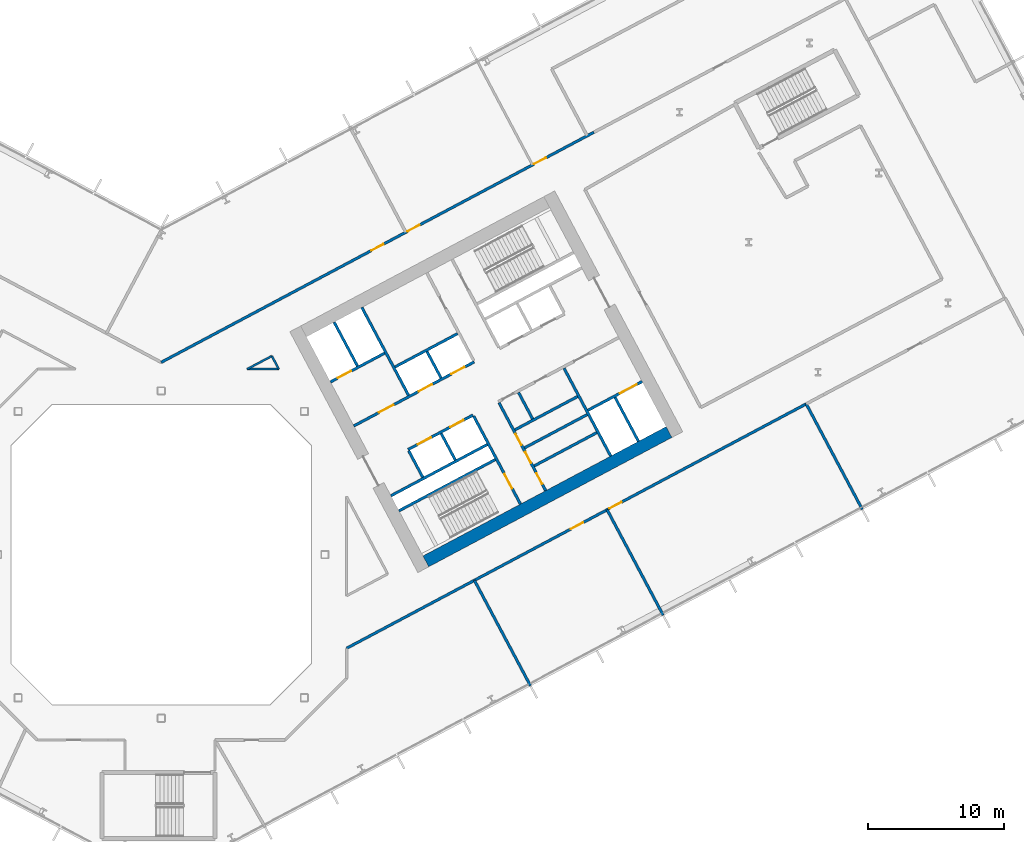
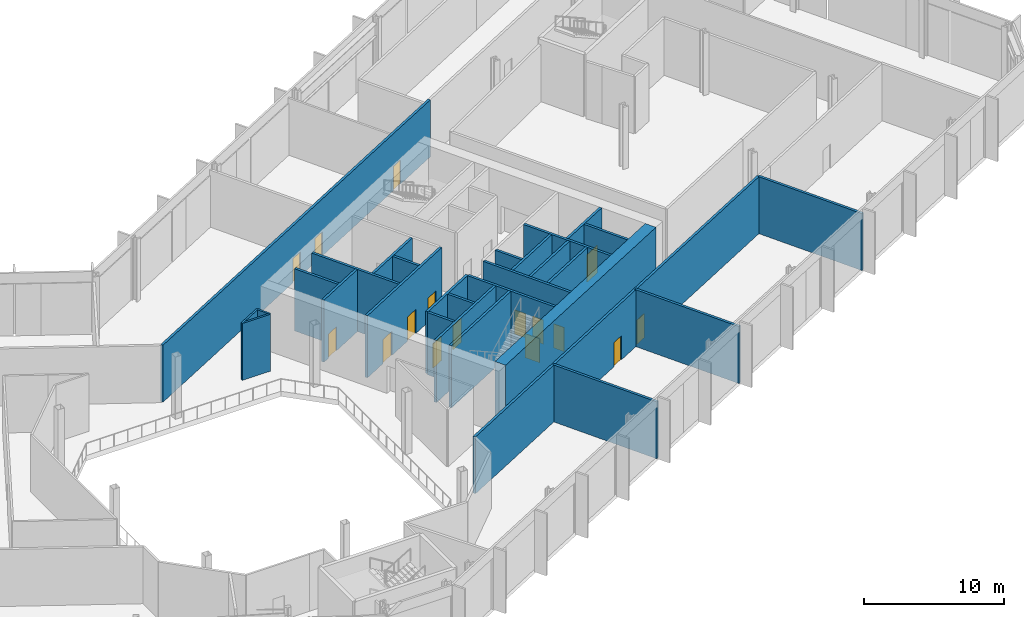
# One storey, part 15 of 30: 29 walls, 16 doors, 16 openings.
"""IFC4 building model written with IfcOpenShell, lengths in metres."""

from ifc_helpers import new_model, si_unit, direction, frame, frame_2d, origin, place, context, subcontext, project, spatial, rectangle, extrude, material, layer, layer_set, type_object, element, fill, save


model = new_model("IFC4")

# Units and contexts
model_context = context("Model", 3, precision=1e-05, world=origin(), true_north=direction((0.0, 1.0)))
body_context = subcontext(model_context, "Body", "Model", "MODEL_VIEW")
ifc_project = project(units=[si_unit("LENGTHUNIT", "METRE"), si_unit("AREAUNIT", "SQUARE_METRE"), si_unit("VOLUMEUNIT", "CUBIC_METRE"), si_unit("PLANEANGLEUNIT", "RADIAN"), si_unit("MASSUNIT", "GRAM", prefix="KILO")], contexts=[model_context])

# Site, building, storey
site_placement = place(None, origin())
site = spatial("IfcSite", under=ifc_project, at=site_placement, CompositionType="ELEMENT")
building_placement = place(site_placement, origin())
building = spatial("IfcBuilding", under=site, at=building_placement, Name="Cormorant Relay Tower", CompositionType="ELEMENT")
storey_placement = place(building_placement, frame((0.0, 0.0, 55.39990234375)))
storey = spatial("IfcBuildingStorey", under=building, at=storey_placement, Name="L10", CompositionType="ELEMENT", Elevation=55.39990234375)

# Walls
ifc_material_1 = material(Name="Concrete 40 MPa", Category="concrete")
ifc_layer_1 = layer(ifc_material_1, 0.199951171875)
ifc_layer_set_1 = layer_set([ifc_layer_1], Name="Core internal wall 200")
wall_type_1 = type_object("IfcWallType", Name="Core internal wall 200", PredefinedType="SOLIDWALL", material=ifc_layer_set_1)
for number, where, z_axis, x_axis, name in (
    (1, (21.567626953125, 6.9375, 0.0), (0.0, 0.0, 1.0), (-0.469533832133, 0.882914480843, 0.0), "L10 core B shaft and room wall"),
    (2, (20.522216796875, 12.950439453125, 0.0), (0.0, 0.0, 1.0), (-0.469401318492, 0.882984938828, 0.0), "L10 core B shaft and room wall"),
    (3, (27.236083984375, 9.951416015625, 0.0), (0.0, 0.0, 1.0), (-0.4694473164, 0.882960484464, 0.0), "L10 core B shaft and room wall"),
):
    element("IfcWall", number, at=place(storey_placement, frame(where, z_axis=z_axis, x_axis=x_axis)), inside=storey, type_object=wall_type_1, Name=name, PredefinedType="SOLIDWALL", context=body_context, shape_type="SweptSolid", body=[
        extrude(rectangle(XDim=2.199951171875, YDim=0.199951171875, at=frame_2d((1.10009765625, 0.0))), origin(), (0.0, 0.0, 1.0), 5.400146484375),
    ])
for number, where, z_axis, x_axis, name in (
    (4, (27.349365234375, 6.500732421875, 0.0), (0.0, 0.0, 1.0), (0.882953967957, 0.469459572775, 0.0), "L10 core B shaft and room wall"),
    (5, (26.645263671875, 7.8251953125, 0.0), (0.0, 0.0, 1.0), (0.882953967957, 0.469459572775, 0.0), "L10 core B shaft and room wall"),
):
    element("IfcWall", number, at=place(storey_placement, frame(where, z_axis=z_axis, x_axis=x_axis)), inside=storey, type_object=wall_type_1, Name=name, PredefinedType="SOLIDWALL", context=body_context, shape_type="SweptSolid", body=[
        extrude(rectangle(XDim=5.199951171875, YDim=0.199951171875, at=frame_2d((2.60009765625, 0.0))), origin(), (0.0, 0.0, 1.0), 5.400146484375),
    ])
ifc_material_2 = material(Name="Concrete 50 MPa", Category="concrete")
ifc_layer_2 = layer(ifc_material_2, 0.199951171875)
ifc_layer_set_2 = layer_set([ifc_layer_2], Name="Core shaft wall 200")
wall_type_2 = type_object("IfcWallType", Name="Core shaft wall 200", PredefinedType="SHEAR", material=ifc_layer_set_2)
wall_1_placement = place(storey_placement, frame((14.39404296875, 13.825927734375, 0.0), z_axis=(0.0, 0.0, 1.0), x_axis=(-0.469494272526, 0.882935517501, 0.0)))
element("IfcWall", 6, at=wall_1_placement, inside=storey, type_object=wall_type_2, Name="L10 core B shaft wall", PredefinedType="SHEAR", context=body_context, shape_type="SweptSolid", body=[
    extrude(rectangle(XDim=3.64990234375, YDim=0.199951171875, at=frame_2d((1.824951171875, 0.0))), origin(), (0.0, 0.0, 1.0), 5.400146484375),
])
wall_2_placement = place(storey_placement, frame((19.18359375, 5.669921875, 0.0), z_axis=(0.0, 0.0, 1.0), x_axis=(-0.4694473164, 0.882960484464, 0.0)))
element("IfcWall", 7, at=wall_2_placement, inside=storey, type_object=wall_type_2, Name="L10 core B shaft wall", PredefinedType="SHEAR", context=body_context, shape_type="SweptSolid", body=[
    extrude(rectangle(XDim=2.199951171875, YDim=0.199951171875, at=frame_2d((1.10009765625, 0.0))), origin(), (0.0, 0.0, 1.0), 5.400146484375),
])
wall_3_placement = place(storey_placement, frame((18.138427734375, 11.682861328125, 0.0), z_axis=(0.0, 0.0, 1.0), x_axis=(-0.469480409012, 0.88294288918, 0.0)))
element("IfcWall", 8, at=wall_3_placement, inside=storey, type_object=wall_type_2, Name="L10 core B shaft wall", PredefinedType="SHEAR", context=body_context, shape_type="SweptSolid", body=[
    extrude(rectangle(XDim=7.300048828125, YDim=0.199951171875, at=frame_2d((3.64990234375, 0.0))), origin(), (0.0, 0.0, 1.0), 5.400146484375),
])

# Wall, opening, door
wall_4_placement = place(storey_placement, frame((26.345947265625, 3.701904296875, 0.0), z_axis=(0.0, 0.0, 1.0), x_axis=(-0.469480409012, 0.88294288918, 0.0)))
wall_4 = element("IfcWall", 9, at=wall_4_placement, inside=storey, type_object=wall_type_2, Name="L10 core B shaft wall", PredefinedType="SHEAR", context=body_context, shape_type="SweptSolid", body=[
    extrude(rectangle(XDim=7.300048828125, YDim=0.199951171875, at=frame_2d((3.64990234375, 0.0))), origin(), (0.0, 0.0, 1.0), 5.400146484375),
])
opening_1_placement = place(wall_4_placement, frame((1.300048828125, 0.0, 0.0)))
opening_1 = element("IfcOpeningElement", 10, at=opening_1_placement, cuts=wall_4, Name="Opening CDB-021", PredefinedType="OPENING", context=body_context, shape_type="SweptSolid", body=[
    extrude(rectangle(XDim=1.199951171875, YDim=2.10009765625, at=frame_2d((0.60009765625, 1.050048828125))), frame((0.0, 0.10986328125, 0.0), z_axis=(0.0, -1.0, 0.0), x_axis=(1.0, 0.0, 0.0)), (0.0, 0.0, 1.0), 0.219970703125),
])
ifc_material_3 = material(Name="Steel fire door", Category="steel")
door_type_1 = type_object("IfcDoorType", Name="Core stair door 1200x2100", OperationType="SINGLE_SWING_LEFT", PredefinedType="DOOR", material=ifc_material_3)
door_1_placement = place(opening_1_placement, origin())
door_1 = element("IfcDoor", 11, at=door_1_placement, inside=storey, type_object=door_type_1, Name="Core stair door 1200x2100", OperationType="SINGLE_SWING_RIGHT", OverallHeight=2.10009765625, OverallWidth=1.199951171875, PredefinedType="DOOR", context=body_context, shape_type="SweptSolid", body=[
    extrude(rectangle(XDim=1.199951171875, YDim=2.10009765625, at=frame_2d((0.60009765625, 1.050048828125))), frame((0.0, 0.02490234375, 0.0), z_axis=(0.0, -1.0, 0.0), x_axis=(1.0, 0.0, 0.0)), (0.0, 0.0, 1.0), 0.050048828125),
])
fill(opening_1, door_1)

# Wall, openings, doors
wall_5_placement = place(storey_placement, frame((28.199951171875, 4.687744140625, 0.0), z_axis=(0.0, 0.0, 1.0), x_axis=(-0.469454336211, 0.882956752176, 0.0)))
wall_5 = element("IfcWall", 12, at=wall_5_placement, inside=storey, type_object=wall_type_2, Name="L10 core B shaft wall", PredefinedType="SHEAR", context=body_context, shape_type="SweptSolid", body=[
    extrude(rectangle(XDim=7.300048828125, YDim=0.199951171875, at=frame_2d((3.64990234375, 0.0))), origin(), (0.0, 0.0, 1.0), 5.400146484375),
])
opening_2_placement = place(wall_5_placement, frame((0.550048828125, 0.0, 0.0)))
opening_2 = element("IfcOpeningElement", 13, at=opening_2_placement, cuts=wall_5, Name="Opening CDD-078", PredefinedType="OPENING", context=body_context, shape_type="SweptSolid", body=[
    extrude(rectangle(XDim=0.89990234375, YDim=2.10009765625, at=frame_2d((0.449951171875, 1.050048828125))), frame((0.0, 0.10986328125, 0.0), z_axis=(0.0, -1.0, 0.0), x_axis=(1.0, 0.0, 0.0)), (0.0, 0.0, 1.0), 0.219970703125),
])
opening_3_placement = place(wall_5_placement, frame((2.300048828125, 0.0, 0.0)))
opening_3 = element("IfcOpeningElement", 14, at=opening_3_placement, cuts=wall_5, Name="Opening CDD-079", PredefinedType="OPENING", context=body_context, shape_type="SweptSolid", body=[
    extrude(rectangle(XDim=0.89990234375, YDim=2.10009765625, at=frame_2d((0.449951171875, 1.050048828125))), frame((0.0, 0.10986328125, 0.0), z_axis=(0.0, -1.0, 0.0), x_axis=(1.0, 0.0, 0.0)), (0.0, 0.0, 1.0), 0.219970703125),
])
opening_4_placement = place(wall_5_placement, frame((3.800048828125, 0.0, 0.0)))
opening_4 = element("IfcOpeningElement", 15, at=opening_4_placement, cuts=wall_5, Name="Opening CDD-080", PredefinedType="OPENING", context=body_context, shape_type="SweptSolid", body=[
    extrude(rectangle(XDim=0.89990234375, YDim=2.10009765625, at=frame_2d((0.449951171875, 1.050048828125))), frame((0.0, 0.10986328125, 0.0), z_axis=(0.0, -1.0, 0.0), x_axis=(1.0, 0.0, 0.0)), (0.0, 0.0, 1.0), 0.219970703125),
])
ifc_material_4 = material(Name="Steel fire door", Category="steel")
door_type_2 = type_object("IfcDoorType", Name="Core room door 900x2100", OperationType="SINGLE_SWING_LEFT", PredefinedType="DOOR", material=ifc_material_4)
door_2_placement = place(opening_2_placement, frame((0.89990234375, 0.0, 0.0), z_axis=(0.0, 0.0, 1.0), x_axis=(-1.0, 0.0, 0.0)))
door_2 = element("IfcDoor", 16, at=door_2_placement, inside=storey, type_object=door_type_2, Name="Core room door 900x2100", OperationType="SINGLE_SWING_LEFT", OverallHeight=2.10009765625, OverallWidth=0.89990234375, PredefinedType="DOOR", context=body_context, shape_type="SweptSolid", body=[
    extrude(rectangle(XDim=0.89990234375, YDim=2.10009765625, at=frame_2d((0.449951171875, 1.050048828125))), frame((0.0, 0.02490234375, 0.0), z_axis=(0.0, -1.0, 0.0), x_axis=(1.0, 0.0, 0.0)), (0.0, 0.0, 1.0), 0.050048828125),
])
fill(opening_2, door_2)
door_3_placement = place(opening_3_placement, frame((0.89990234375, 0.0, 0.0), z_axis=(0.0, 0.0, 1.0), x_axis=(-1.0, 0.0, 0.0)))
door_3 = element("IfcDoor", 17, at=door_3_placement, inside=storey, type_object=door_type_2, Name="Core room door 900x2100", OperationType="SINGLE_SWING_LEFT", OverallHeight=2.10009765625, OverallWidth=0.89990234375, PredefinedType="DOOR", context=body_context, shape_type="SweptSolid", body=[
    extrude(rectangle(XDim=0.89990234375, YDim=2.10009765625, at=frame_2d((0.449951171875, 1.050048828125))), frame((0.0, 0.02490234375, 0.0), z_axis=(0.0, -1.0, 0.0), x_axis=(1.0, 0.0, 0.0)), (0.0, 0.0, 1.0), 0.050048828125),
])
fill(opening_3, door_3)
door_4_placement = place(opening_4_placement, frame((0.89990234375, 0.0, 0.0), z_axis=(0.0, 0.0, 1.0), x_axis=(-1.0, 0.0, 0.0)))
door_4 = element("IfcDoor", 18, at=door_4_placement, inside=storey, type_object=door_type_2, Name="Core room door 900x2100", OperationType="SINGLE_SWING_LEFT", OverallHeight=2.10009765625, OverallWidth=0.89990234375, PredefinedType="DOOR", context=body_context, shape_type="SweptSolid", body=[
    extrude(rectangle(XDim=0.89990234375, YDim=2.10009765625, at=frame_2d((0.449951171875, 1.050048828125))), frame((0.0, 0.02490234375, 0.0), z_axis=(0.0, -1.0, 0.0), x_axis=(1.0, 0.0, 0.0)), (0.0, 0.0, 1.0), 0.050048828125),
])
fill(opening_4, door_4)

# Walls
wall_6_placement = place(storey_placement, frame((32.968017578125, 7.222900390625, 0.0), z_axis=(0.0, 0.0, 1.0), x_axis=(-0.469480409012, 0.88294288918, 0.0)))
element("IfcWall", 19, at=wall_6_placement, inside=storey, type_object=wall_type_2, Name="L10 core B shaft wall", PredefinedType="SHEAR", context=body_context, shape_type="SweptSolid", body=[
    extrude(rectangle(XDim=7.300048828125, YDim=0.199951171875, at=frame_2d((3.64990234375, 0.0))), origin(), (0.0, 0.0, 1.0), 5.400146484375),
])
wall_7_placement = place(storey_placement, frame((34.998779296875, 8.302734375, 0.0), z_axis=(0.0, 0.0, 1.0), x_axis=(-0.4694665462, 0.882950260207, 0.0)))
element("IfcWall", 20, at=wall_7_placement, inside=storey, type_object=wall_type_2, Name="L10 core B shaft wall", PredefinedType="SHEAR", context=body_context, shape_type="SweptSolid", body=[
    extrude(rectangle(XDim=3.650146484375, YDim=0.199951171875, at=frame_2d((1.8251953125, 0.0))), origin(), (0.0, 0.0, 1.0), 5.400146484375),
])
wall_8_placement = place(storey_placement, frame((17.43359375, 3.210205078125, 0.0), z_axis=(0.0, 0.0, 1.0), x_axis=(0.882940221191, 0.469485426614, 0.0)))
element("IfcWall", 21, at=wall_8_placement, inside=storey, type_object=wall_type_2, Name="L10 core B shaft wall", PredefinedType="SHEAR", context=body_context, shape_type="SweptSolid", body=[
    extrude(rectangle(XDim=8.0, YDim=0.199951171875, at=frame_2d((4.0, 0.0))), origin(), (0.0, 0.0, 1.0), 5.400146484375),
])

# Wall, opening, door
wall_9_placement = place(storey_placement, frame((31.295654296875, 10.5810546875, 0.0), z_axis=(0.0, 0.0, 1.0), x_axis=(0.882960433586, 0.469447412093, 0.0)))
wall_9 = element("IfcWall", 22, at=wall_9_placement, inside=storey, type_object=wall_type_2, Name="L10 core B shaft wall", PredefinedType="SHEAR", context=body_context, shape_type="SweptSolid", body=[
    extrude(rectangle(XDim=4.5, YDim=0.199951171875, at=frame_2d((2.25, 0.0))), origin(), (0.0, 0.0, 1.0), 5.400146484375),
])
opening_5_placement = place(wall_9_placement, frame((2.64990234375, 0.0, 0.0)))
opening_5 = element("IfcOpeningElement", 23, at=opening_5_placement, cuts=wall_9, Name="Opening LD3-008", PredefinedType="OPENING", context=body_context, shape_type="SweptSolid", body=[
    extrude(rectangle(XDim=1.39990234375, YDim=2.39990234375, at=frame_2d((0.699951171875, 1.199951171875))), frame((0.0, 0.10986328125, 0.0), z_axis=(0.0, -1.0, 0.0), x_axis=(1.0, 0.0, 0.0)), (0.0, 0.0, 1.0), 0.219970703125),
])
ifc_material_5 = material(Name="Stainless steel 316", Category="steel")
door_type_3 = type_object("IfcDoorType", Name="Lift landing door 1400x2400", OperationType="DOUBLE_DOOR_SLIDING", PredefinedType="DOOR", material=ifc_material_5)
door_5_placement = place(opening_5_placement, origin())
door_5 = element("IfcDoor", 24, at=door_5_placement, inside=storey, type_object=door_type_3, Name="SV2 landing door", OperationType="DOUBLE_DOOR_SLIDING", OverallHeight=2.39990234375, OverallWidth=1.39990234375, PredefinedType="DOOR", context=body_context, shape_type="SweptSolid", body=[
    extrude(rectangle(XDim=1.39990234375, YDim=2.39990234375, at=frame_2d((0.699951171875, 1.199951171875))), frame((0.0, 0.02490234375, 0.0), z_axis=(0.0, -1.0, 0.0), x_axis=(1.0, 0.0, 0.0)), (0.0, 0.0, 1.0), 0.050048828125),
])
fill(opening_5, door_5)

# Walls
wall_10_placement = place(storey_placement, frame((16.8466796875, 4.31396484375, 0.0), z_axis=(0.0, 0.0, 1.0), x_axis=(0.882940221191, 0.469485426614, 0.0)))
element("IfcWall", 25, at=wall_10_placement, inside=storey, type_object=wall_type_2, Name="L10 core B shaft wall", PredefinedType="SHEAR", context=body_context, shape_type="SweptSolid", body=[
    extrude(rectangle(XDim=8.0, YDim=0.199951171875, at=frame_2d((4.0, 0.0))), origin(), (0.0, 0.0, 1.0), 5.400146484375),
])
wall_11_placement = place(storey_placement, frame((25.94091796875, 9.149658203125, 0.0), z_axis=(0.0, 0.0, 1.0), x_axis=(0.882953967957, 0.469459572775, 0.0)))
element("IfcWall", 26, at=wall_11_placement, inside=storey, type_object=wall_type_2, Name="L10 core B shaft wall", PredefinedType="SHEAR", context=body_context, shape_type="SweptSolid", body=[
    extrude(rectangle(XDim=5.199951171875, YDim=0.199951171875, at=frame_2d((2.60009765625, 0.0))), origin(), (0.0, 0.0, 1.0), 5.400146484375),
])

# Wall, openings, doors
wall_12_placement = place(storey_placement, frame((18.103759765625, 7.70068359375, 0.0), z_axis=(0.0, 0.0, 1.0), x_axis=(0.882952937579, 0.469461510692, 0.0)))
wall_12 = element("IfcWall", 27, at=wall_12_placement, inside=storey, type_object=wall_type_2, Name="L10 core B shaft wall", PredefinedType="SHEAR", context=body_context, shape_type="SweptSolid", body=[
    extrude(rectangle(XDim=5.400146484375, YDim=0.199951171875, at=frame_2d((2.7001953125, 0.0))), origin(), (0.0, 0.0, 1.0), 5.400146484375),
])
opening_6_placement = place(wall_12_placement, frame((0.800048828125, 0.0, 0.0)))
opening_6 = element("IfcOpeningElement", 28, at=opening_6_placement, cuts=wall_12, Name="Opening LD1-024", PredefinedType="OPENING", context=body_context, shape_type="SweptSolid", body=[
    extrude(rectangle(XDim=1.10009765625, YDim=2.10009765625, at=frame_2d((0.550048828125, 1.050048828125))), frame((0.0, 0.10986328125, 0.0), z_axis=(0.0, -1.0, 0.0), x_axis=(1.0, 0.0, 0.0)), (0.0, 0.0, 1.0), 0.219970703125),
])
opening_7_placement = place(wall_12_placement, frame((3.5, 0.0, 0.0)))
opening_7 = element("IfcOpeningElement", 29, at=opening_7_placement, cuts=wall_12, Name="Opening LD1-025", PredefinedType="OPENING", context=body_context, shape_type="SweptSolid", body=[
    extrude(rectangle(XDim=1.10009765625, YDim=2.10009765625, at=frame_2d((0.550048828125, 1.050048828125))), frame((0.0, 0.10986328125, 0.0), z_axis=(0.0, -1.0, 0.0), x_axis=(1.0, 0.0, 0.0)), (0.0, 0.0, 1.0), 0.219970703125),
])
ifc_material_6 = material(Name="Stainless steel 316", Category="steel")
door_type_4 = type_object("IfcDoorType", Name="Lift landing door 1100x2100", OperationType="DOUBLE_DOOR_SLIDING", PredefinedType="DOOR", material=ifc_material_6)
door_6_placement = place(opening_6_placement, origin())
door_6 = element("IfcDoor", 30, at=door_6_placement, inside=storey, type_object=door_type_4, Name="LR5 landing door", OperationType="DOUBLE_DOOR_SLIDING", OverallHeight=2.10009765625, OverallWidth=1.10009765625, PredefinedType="DOOR", context=body_context, shape_type="SweptSolid", body=[
    extrude(rectangle(XDim=1.10009765625, YDim=2.10009765625, at=frame_2d((0.550048828125, 1.050048828125))), frame((0.0, 0.02490234375, 0.0), z_axis=(0.0, -1.0, 0.0), x_axis=(1.0, 0.0, 0.0)), (0.0, 0.0, 1.0), 0.050048828125),
])
fill(opening_6, door_6)
door_7_placement = place(opening_7_placement, origin())
door_7 = element("IfcDoor", 31, at=door_7_placement, inside=storey, type_object=door_type_4, Name="LR6 landing door", OperationType="DOUBLE_DOOR_SLIDING", OverallHeight=2.10009765625, OverallWidth=1.10009765625, PredefinedType="DOOR", context=body_context, shape_type="SweptSolid", body=[
    extrude(rectangle(XDim=1.10009765625, YDim=2.10009765625, at=frame_2d((0.550048828125, 1.050048828125))), frame((0.0, 0.02490234375, 0.0), z_axis=(0.0, -1.0, 0.0), x_axis=(1.0, 0.0, 0.0)), (0.0, 0.0, 1.0), 0.050048828125),
])
fill(opening_7, door_7)

wall_13_placement = place(storey_placement, frame((14.123779296875, 9.43505859375, 0.0), z_axis=(0.0, 0.0, 1.0), x_axis=(0.882940221191, 0.469485426614, 0.0)))
wall_13 = element("IfcWall", 32, at=wall_13_placement, inside=storey, type_object=wall_type_2, Name="L10 core B shaft wall", PredefinedType="SHEAR", context=body_context, shape_type="SweptSolid", body=[
    extrude(rectangle(XDim=10.0, YDim=0.199951171875, at=frame_2d((5.0, 0.0))), origin(), (0.0, 0.0, 1.0), 5.400146484375),
])
opening_8_placement = place(wall_13_placement, frame((2.10009765625, 0.0, 0.0)))
opening_8 = element("IfcOpeningElement", 33, at=opening_8_placement, cuts=wall_13, Name="Opening CDC-015", PredefinedType="OPENING", context=body_context, shape_type="SweptSolid", body=[
    extrude(rectangle(XDim=1.199951171875, YDim=2.10009765625, at=frame_2d((0.60009765625, 1.050048828125))), frame((0.0, 0.10986328125, 0.0), z_axis=(0.0, -1.0, 0.0), x_axis=(1.0, 0.0, 0.0)), (0.0, 0.0, 1.0), 0.219970703125),
])
opening_9_placement = place(wall_13_placement, frame((5.39990234375, 0.0, 0.0)))
opening_9 = element("IfcOpeningElement", 34, at=opening_9_placement, cuts=wall_13, Name="Opening LD1-020", PredefinedType="OPENING", context=body_context, shape_type="SweptSolid", body=[
    extrude(rectangle(XDim=1.10009765625, YDim=2.10009765625, at=frame_2d((0.550048828125, 1.050048828125))), frame((0.0, 0.10986328125, 0.0), z_axis=(0.0, -1.0, 0.0), x_axis=(1.0, 0.0, 0.0)), (0.0, 0.0, 1.0), 0.219970703125),
])
opening_10_placement = place(wall_13_placement, frame((8.10009765625, 0.0, 0.0)))
opening_10 = element("IfcOpeningElement", 35, at=opening_10_placement, cuts=wall_13, Name="Opening LD1-021", PredefinedType="OPENING", context=body_context, shape_type="SweptSolid", body=[
    extrude(rectangle(XDim=1.10009765625, YDim=2.10009765625, at=frame_2d((0.550048828125, 1.050048828125))), frame((0.0, 0.10986328125, 0.0), z_axis=(0.0, -1.0, 0.0), x_axis=(1.0, 0.0, 0.0)), (0.0, 0.0, 1.0), 0.219970703125),
])
ifc_material_7 = material(Name="Steel fire door", Category="steel")
door_type_5 = type_object("IfcDoorType", Name="Core lobby door 1200x2100", OperationType="SINGLE_SWING_LEFT", PredefinedType="DOOR", material=ifc_material_7)
door_8_placement = place(opening_8_placement, origin())
door_8 = element("IfcDoor", 36, at=door_8_placement, inside=storey, type_object=door_type_5, Name="Core lobby door 1200x2100", OperationType="SINGLE_SWING_RIGHT", OverallHeight=2.10009765625, OverallWidth=1.199951171875, PredefinedType="DOOR", context=body_context, shape_type="SweptSolid", body=[
    extrude(rectangle(XDim=1.199951171875, YDim=2.10009765625, at=frame_2d((0.60009765625, 1.050048828125))), frame((0.0, 0.02490234375, 0.0), z_axis=(0.0, -1.0, 0.0), x_axis=(1.0, 0.0, 0.0)), (0.0, 0.0, 1.0), 0.050048828125),
])
fill(opening_8, door_8)
door_9_placement = place(opening_9_placement, origin())
door_9 = element("IfcDoor", 37, at=door_9_placement, inside=storey, type_object=door_type_4, Name="LR1 landing door", OperationType="DOUBLE_DOOR_SLIDING", OverallHeight=2.10009765625, OverallWidth=1.10009765625, PredefinedType="DOOR", context=body_context, shape_type="SweptSolid", body=[
    extrude(rectangle(XDim=1.10009765625, YDim=2.10009765625, at=frame_2d((0.550048828125, 1.050048828125))), frame((0.0, 0.02490234375, 0.0), z_axis=(0.0, -1.0, 0.0), x_axis=(1.0, 0.0, 0.0)), (0.0, 0.0, 1.0), 0.050048828125),
])
fill(opening_9, door_9)
door_10_placement = place(opening_10_placement, origin())
door_10 = element("IfcDoor", 38, at=door_10_placement, inside=storey, type_object=door_type_4, Name="LR2 landing door", OperationType="DOUBLE_DOOR_SLIDING", OverallHeight=2.10009765625, OverallWidth=1.10009765625, PredefinedType="DOOR", context=body_context, shape_type="SweptSolid", body=[
    extrude(rectangle(XDim=1.10009765625, YDim=2.10009765625, at=frame_2d((0.550048828125, 1.050048828125))), frame((0.0, 0.02490234375, 0.0), z_axis=(0.0, -1.0, 0.0), x_axis=(1.0, 0.0, 0.0)), (0.0, 0.0, 1.0), 0.050048828125),
])
fill(opening_10, door_10)

# Wall
wall_14_placement = place(storey_placement, frame((17.146728515625, 13.7607421875, 0.0), z_axis=(0.0, 0.0, 1.0), x_axis=(0.882964314875, 0.469440111896, 0.0)))
element("IfcWall", 39, at=wall_14_placement, inside=storey, type_object=wall_type_2, Name="L10 core B shaft wall", PredefinedType="SHEAR", context=body_context, shape_type="SweptSolid", body=[
    extrude(rectangle(XDim=5.2001953125, YDim=0.199951171875, at=frame_2d((2.60009765625, 0.0))), origin(), (0.0, 0.0, 1.0), 5.400146484375),
])

# Wall, opening, door
wall_15_placement = place(storey_placement, frame((12.41015625, 12.657958984375, 0.0), z_axis=(0.0, 0.0, 1.0), x_axis=(0.8829484765, 0.469469900894, 0.0)))
wall_15 = element("IfcWall", 40, at=wall_15_placement, inside=storey, type_object=wall_type_2, Name="L10 core B shaft wall", PredefinedType="SHEAR", context=body_context, shape_type="SweptSolid", body=[
    extrude(rectangle(XDim=4.499755859375, YDim=0.199951171875, at=frame_2d((2.25, 0.0))), origin(), (0.0, 0.0, 1.0), 5.400146484375),
])
opening_11_placement = place(wall_15_placement, frame((0.60009765625, 0.0, 0.0)))
opening_11 = element("IfcOpeningElement", 41, at=opening_11_placement, cuts=wall_15, Name="Opening LD1-026", PredefinedType="OPENING", context=body_context, shape_type="SweptSolid", body=[
    extrude(rectangle(XDim=1.10009765625, YDim=2.10009765625, at=frame_2d((0.550048828125, 1.050048828125))), frame((0.0, 0.10986328125, 0.0), z_axis=(0.0, -1.0, 0.0), x_axis=(1.0, 0.0, 0.0)), (0.0, 0.0, 1.0), 0.219970703125),
])
door_11_placement = place(opening_11_placement, origin())
door_11 = element("IfcDoor", 42, at=door_11_placement, inside=storey, type_object=door_type_4, Name="FF2 landing door", OperationType="DOUBLE_DOOR_SLIDING", OverallHeight=2.10009765625, OverallWidth=1.10009765625, PredefinedType="DOOR", context=body_context, shape_type="SweptSolid", body=[
    extrude(rectangle(XDim=1.10009765625, YDim=2.10009765625, at=frame_2d((0.550048828125, 1.050048828125))), frame((0.0, 0.02490234375, 0.0), z_axis=(0.0, -1.0, 0.0), x_axis=(1.0, 0.0, 0.0)), (0.0, 0.0, 1.0), 0.050048828125),
])
fill(opening_11, door_11)

# Wall
ifc_material_8 = material(Name="Concrete 70 MPa", Category="concrete")
ifc_layer_3 = layer(ifc_material_8, 0.89990234375)
ifc_layer_set_3 = layer_set([ifc_layer_3], Name="Core wall 900")
wall_type_3 = type_object("IfcWallType", Name="Core wall 900", PredefinedType="SHEAR", material=ifc_layer_set_3)
wall_16_placement = place(storey_placement, frame((19.4052734375, -0.498046875, 0.0), z_axis=(0.0, 0.0, 1.0), x_axis=(0.88294509198, 0.469476266226, 0.0)))
element("IfcWall", 43, at=wall_16_placement, inside=storey, type_object=wall_type_3, Name="L10 core B wall", PredefinedType="SHEAR", context=body_context, shape_type="SweptSolid", body=[
    extrude(rectangle(XDim=20.199951171875, YDim=0.89990234375, at=frame_2d((10.10009765625, 0.0))), origin(), (0.0, 0.0, 1.0), 5.400146484375),
])

# Wall, openings, doors
ifc_material_9 = material(Name="Fire-rated gypsum board partition")
ifc_layer_4 = layer(ifc_material_9, 0.199951171875)
ifc_layer_set_4 = layer_set([ifc_layer_4], Name="Fire-rated gypsum partition 200")
wall_type_4 = type_object("IfcWallType", Name="Fire-rated gypsum partition 200", PredefinedType="PARTITIONING", material=ifc_layer_set_4)
wall_17_placement = place(storey_placement, frame((0.0, 14.10009765625, 0.0), z_axis=(0.0, 0.0, 1.0), x_axis=(0.882945550769, 0.469475403378, 0.0)))
wall_17 = element("IfcWall", 44, at=wall_17_placement, inside=storey, type_object=wall_type_4, Name="wall/L10/part/33", PredefinedType="PARTITIONING", context=body_context, shape_type="SweptSolid", body=[
    extrude(rectangle(XDim=35.9375, YDim=0.199951171875, at=frame_2d((17.96875, 0.0))), origin(), (0.0, 0.0, 1.0), 4.9501953125),
])
opening_12_placement = place(wall_17_placement, frame((30.949951171875, 0.0, 0.0)))
opening_12 = element("IfcOpeningElement", 45, at=opening_12_placement, cuts=wall_17, Name="Opening FD1-058", PredefinedType="OPENING", context=body_context, shape_type="SweptSolid", body=[
    extrude(rectangle(XDim=1.0, YDim=2.10009765625, at=frame_2d((0.5, 1.050048828125))), frame((0.0, 0.10986328125, 0.0), z_axis=(0.0, -1.0, 0.0), x_axis=(1.0, 0.0, 0.0)), (0.0, 0.0, 1.0), 0.219970703125),
])
opening_13_placement = place(wall_17_placement, frame((20.449951171875, 0.0, 0.0)))
opening_13 = element("IfcOpeningElement", 46, at=opening_13_placement, cuts=wall_17, Name="Opening FD1-059", PredefinedType="OPENING", context=body_context, shape_type="SweptSolid", body=[
    extrude(rectangle(XDim=1.0, YDim=2.10009765625, at=frame_2d((0.5, 1.050048828125))), frame((0.0, 0.10986328125, 0.0), z_axis=(0.0, -1.0, 0.0), x_axis=(1.0, 0.0, 0.0)), (0.0, 0.0, 1.0), 0.219970703125),
])
opening_14_placement = place(wall_17_placement, frame((17.449951171875, 0.0, 0.0)))
opening_14 = element("IfcOpeningElement", 47, at=opening_14_placement, cuts=wall_17, Name="Opening FD1-048", PredefinedType="OPENING", context=body_context, shape_type="SweptSolid", body=[
    extrude(rectangle(XDim=1.0, YDim=2.10009765625, at=frame_2d((0.5, 1.050048828125))), frame((0.0, 0.10986328125, 0.0), z_axis=(0.0, -1.0, 0.0), x_axis=(1.0, 0.0, 0.0)), (0.0, 0.0, 1.0), 0.219970703125),
])
ifc_material_10 = material(Name="Fire-rated steel door", Category="steel")
door_type_6 = type_object("IfcDoorType", Name="Fire door 1000 x 2100", OperationType="SINGLE_SWING_LEFT", PredefinedType="DOOR", material=ifc_material_10)
door_12_placement = place(opening_12_placement, origin())
door_12 = element("IfcDoor", 48, at=door_12_placement, inside=storey, type_object=door_type_6, Name="door/L10/8", OperationType="SINGLE_SWING_LEFT", OverallHeight=2.10009765625, OverallWidth=1.0, PredefinedType="DOOR", context=body_context, shape_type="SweptSolid", body=[
    extrude(rectangle(XDim=1.0, YDim=2.10009765625, at=frame_2d((0.5, 1.050048828125))), frame((0.0, 0.02490234375, 0.0), z_axis=(0.0, -1.0, 0.0), x_axis=(1.0, 0.0, 0.0)), (0.0, 0.0, 1.0), 0.050048828125),
])
fill(opening_12, door_12)
door_13_placement = place(opening_13_placement, origin())
door_13 = element("IfcDoor", 49, at=door_13_placement, inside=storey, type_object=door_type_6, Name="door/L10/9", OperationType="SINGLE_SWING_LEFT", OverallHeight=2.10009765625, OverallWidth=1.0, PredefinedType="DOOR", context=body_context, shape_type="SweptSolid", body=[
    extrude(rectangle(XDim=1.0, YDim=2.10009765625, at=frame_2d((0.5, 1.050048828125))), frame((0.0, 0.02490234375, 0.0), z_axis=(0.0, -1.0, 0.0), x_axis=(1.0, 0.0, 0.0)), (0.0, 0.0, 1.0), 0.050048828125),
])
fill(opening_13, door_13)
door_14_placement = place(opening_14_placement, origin())
door_14 = element("IfcDoor", 50, at=door_14_placement, inside=storey, type_object=door_type_6, Name="door/L10/10", OperationType="SINGLE_SWING_LEFT", OverallHeight=2.10009765625, OverallWidth=1.0, PredefinedType="DOOR", context=body_context, shape_type="SweptSolid", body=[
    extrude(rectangle(XDim=1.0, YDim=2.10009765625, at=frame_2d((0.5, 1.050048828125))), frame((0.0, 0.02490234375, 0.0), z_axis=(0.0, -1.0, 0.0), x_axis=(1.0, 0.0, 0.0)), (0.0, 0.0, 1.0), 0.050048828125),
])
fill(opening_14, door_14)

# Wall
wall_18_placement = place(storey_placement, frame((22.968017578125, -1.887939453125, 0.0), z_axis=(0.0, 0.0, 1.0), x_axis=(0.469461194384, -0.882953105758, 0.0)))
element("IfcWall", 51, at=wall_18_placement, inside=storey, type_object=wall_type_4, Name="wall/L10/part/57", PredefinedType="PARTITIONING", context=body_context, shape_type="SweptSolid", body=[
    extrude(rectangle(XDim=8.750244140625, YDim=0.199951171875, at=frame_2d((4.375, 0.0))), origin(), (0.0, 0.0, 1.0), 4.9501953125),
])

# Wall, openings, doors
wall_19_placement = place(storey_placement, frame((47.301025390625, 11.050048828125, 0.0), z_axis=(0.0, 0.0, 1.0), x_axis=(-0.882949285086, -0.469468380155, 0.0)))
wall_19 = element("IfcWall", 52, at=wall_19_placement, inside=storey, type_object=wall_type_4, Name="wall/L10/part/58", PredefinedType="PARTITIONING", context=body_context, shape_type="SweptSolid", body=[
    extrude(rectangle(XDim=38.168701171875, YDim=0.199951171875, at=frame_2d((19.08447265625, 0.0))), origin(), (0.0, 0.0, 1.0), 4.9501953125),
])
opening_15_placement = place(wall_19_placement, frame((18.550048828125, 0.0, 0.0)))
opening_15 = element("IfcOpeningElement", 53, at=opening_15_placement, cuts=wall_19, Name="Opening FD1-054", PredefinedType="OPENING", context=body_context, shape_type="SweptSolid", body=[
    extrude(rectangle(XDim=1.0, YDim=2.10009765625, at=frame_2d((0.5, 1.050048828125))), frame((0.0, 0.10986328125, 0.0), z_axis=(0.0, -1.0, 0.0), x_axis=(1.0, 0.0, 0.0)), (0.0, 0.0, 1.0), 0.219970703125),
])
opening_16_placement = place(wall_19_placement, frame((15.35009765625, 0.0, 0.0)))
opening_16 = element("IfcOpeningElement", 54, at=opening_16_placement, cuts=wall_19, Name="Opening FD1-055", PredefinedType="OPENING", context=body_context, shape_type="SweptSolid", body=[
    extrude(rectangle(XDim=1.0, YDim=2.10009765625, at=frame_2d((0.5, 1.050048828125))), frame((0.0, 0.10986328125, 0.0), z_axis=(0.0, -1.0, 0.0), x_axis=(1.0, 0.0, 0.0)), (0.0, 0.0, 1.0), 0.219970703125),
])
door_15_placement = place(opening_15_placement, origin())
door_15 = element("IfcDoor", 55, at=door_15_placement, inside=storey, type_object=door_type_6, Name="door/L10/4", OperationType="SINGLE_SWING_RIGHT", OverallHeight=2.10009765625, OverallWidth=1.0, PredefinedType="DOOR", context=body_context, shape_type="SweptSolid", body=[
    extrude(rectangle(XDim=1.0, YDim=2.10009765625, at=frame_2d((0.5, 1.050048828125))), frame((0.0, 0.02490234375, 0.0), z_axis=(0.0, -1.0, 0.0), x_axis=(1.0, 0.0, 0.0)), (0.0, 0.0, 1.0), 0.050048828125),
])
fill(opening_15, door_15)
door_16_placement = place(opening_16_placement, origin())
door_16 = element("IfcDoor", 56, at=door_16_placement, inside=storey, type_object=door_type_6, Name="door/L10/5", OperationType="SINGLE_SWING_RIGHT", OverallHeight=2.10009765625, OverallWidth=1.0, PredefinedType="DOOR", context=body_context, shape_type="SweptSolid", body=[
    extrude(rectangle(XDim=1.0, YDim=2.10009765625, at=frame_2d((0.5, 1.050048828125))), frame((0.0, 0.02490234375, 0.0), z_axis=(0.0, -1.0, 0.0), x_axis=(1.0, 0.0, 0.0)), (0.0, 0.0, 1.0), 0.050048828125),
])
fill(opening_16, door_16)

# Walls
wall_20_placement = place(storey_placement, frame((36.80908203125, -4.43896484375, 0.0), z_axis=(0.0, 0.0, 1.0), x_axis=(-0.469482945701, 0.882941540361, 0.0)))
element("IfcWall", 57, at=wall_20_placement, inside=storey, type_object=wall_type_4, Name="wall/L10/part/64", PredefinedType="PARTITIONING", context=body_context, shape_type="SweptSolid", body=[
    extrude(rectangle(XDim=8.75048828125, YDim=0.199951171875, at=frame_2d((4.375244140625, 0.0))), origin(), (0.0, 0.0, 1.0), 4.9501953125),
])
wall_21_placement = place(storey_placement, frame((47.301025390625, 11.050048828125, 0.0), z_axis=(0.0, 0.0, 1.0), x_axis=(0.469461194384, -0.882953105758, 0.0)))
element("IfcWall", 58, at=wall_21_placement, inside=storey, type_object=wall_type_4, Name="wall/L10/part/65", PredefinedType="PARTITIONING", context=body_context, shape_type="SweptSolid", body=[
    extrude(rectangle(XDim=8.750244140625, YDim=0.199951171875, at=frame_2d((4.375, 0.0))), origin(), (0.0, 0.0, 1.0), 4.9501953125),
])
ifc_material_11 = material(Name="Gypsum board partition")
ifc_layer_5 = layer(ifc_material_11, 0.14990234375)
ifc_layer_set_5 = layer_set([ifc_layer_5], Name="Gypsum board partition 150")
wall_type_5 = type_object("IfcWallType", Name="Gypsum board partition 150", PredefinedType="PARTITIONING", material=ifc_layer_set_5)
wall_22_placement = place(storey_placement, frame((8.625, 13.60009765625, 0.0), z_axis=(0.0, 0.0, 1.0), x_axis=(-0.469460742142, 0.882953346212, 0.0)))
element("IfcWall", 59, at=wall_22_placement, inside=storey, type_object=wall_type_5, Name="wall/L10/part/85", PredefinedType="PARTITIONING", context=body_context, shape_type="SweptSolid", body=[
    extrude(rectangle(XDim=1.090576171875, YDim=0.14990234375, at=frame_2d((0.54541015625, 0.0))), origin(), (0.0, 0.0, 1.0), 4.9501953125),
])
wall_23_placement = place(storey_placement, frame((8.113037109375, 14.56298828125, 0.0), z_axis=(0.0, 0.0, 1.0), x_axis=(-0.88306333775, -0.469253813539, 0.0)))
element("IfcWall", 60, at=wall_23_placement, inside=storey, type_object=wall_type_5, Name="wall/L10/part/86", PredefinedType="PARTITIONING", context=body_context, shape_type="SweptSolid", body=[
    extrude(rectangle(XDim=2.052001953125, YDim=0.14990234375, at=frame_2d((1.02587890625, 0.0))), origin(), (0.0, 0.0, 1.0), 4.9501953125),
])
wall_24_placement = place(storey_placement, frame((6.301025390625, 13.60009765625, 0.0), z_axis=(0.0, 0.0, 1.0), x_axis=(1.0, 0.0, 0.0)))
element("IfcWall", 61, at=wall_24_placement, inside=storey, type_object=wall_type_5, Name="wall/L10/part/87", PredefinedType="PARTITIONING", context=body_context, shape_type="SweptSolid", body=[
    extrude(rectangle(XDim=2.323974609375, YDim=0.14990234375, at=frame_2d((1.162109375, 0.0))), origin(), (0.0, 0.0, 1.0), 4.9501953125),
])

save(model, "model.ifc")
